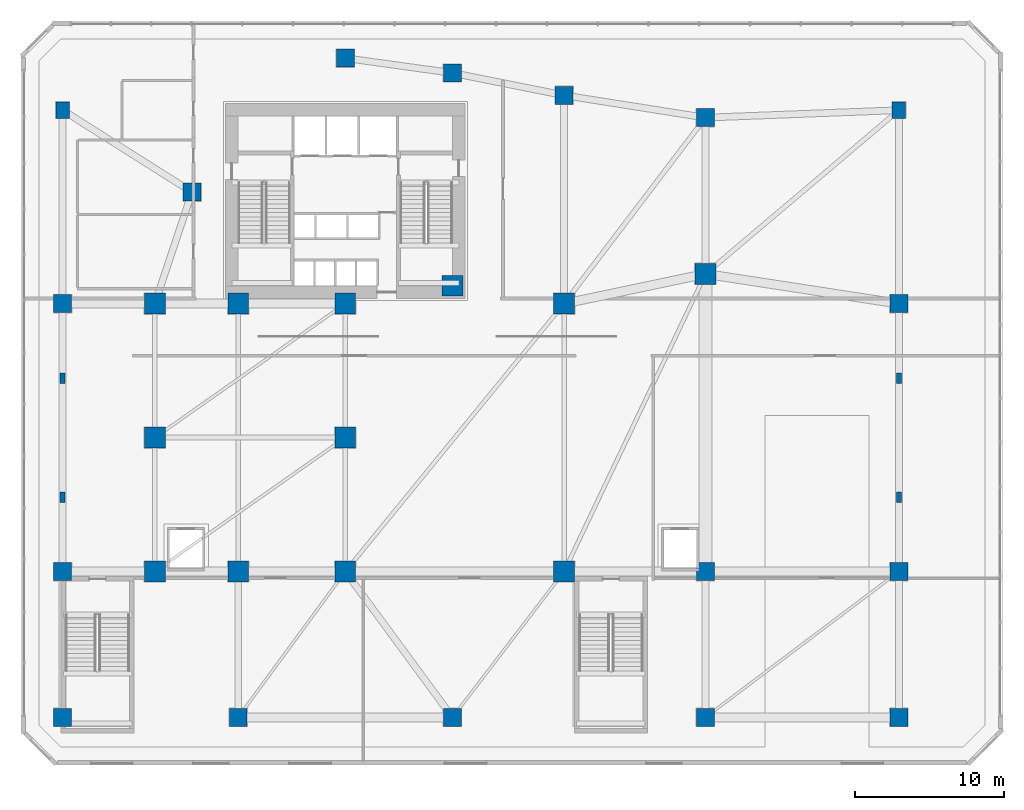
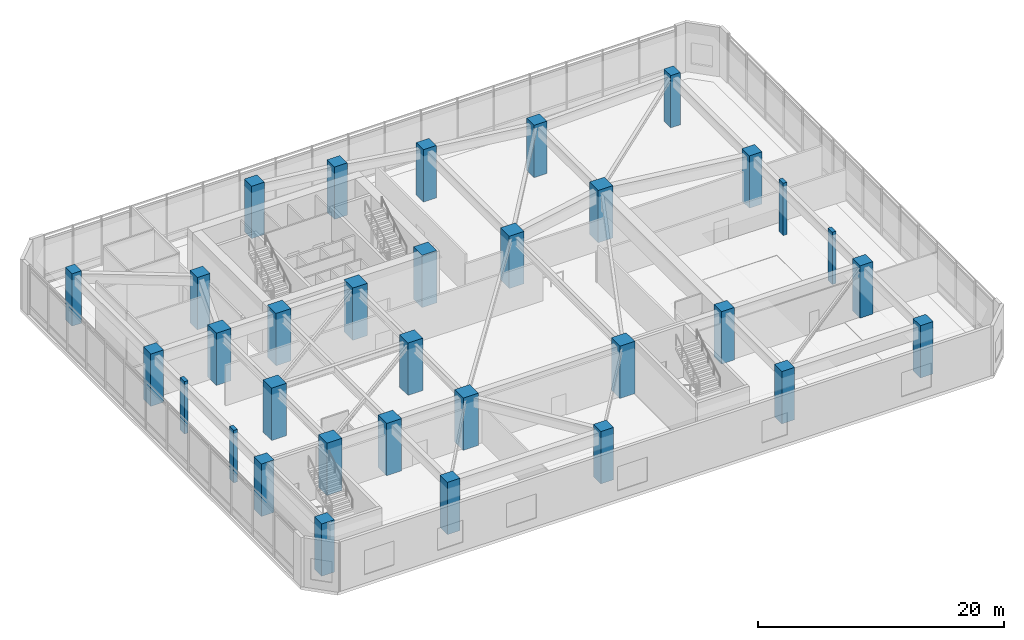
# One storey, part 1 of 16: 33 columns.
"""IFC4 building model written with IfcOpenShell, lengths in metres."""

from ifc_helpers import new_model, si_unit, direction, frame, origin, origin_2d, place, context, subcontext, project, spatial, rectangle, extrude, source, transform, mapped, material, material_profile, profile_set, type_object, element, save


model = new_model("IFC4")

# Units and contexts
model_context = context("Model", 3, precision=1e-05, world=origin(), true_north=direction((0.0, 1.0)))
body_context = subcontext(model_context, "Body", "Model", "MODEL_VIEW")
ifc_project = project(units=[si_unit("LENGTHUNIT", "METRE"), si_unit("AREAUNIT", "SQUARE_METRE"), si_unit("VOLUMEUNIT", "CUBIC_METRE"), si_unit("PLANEANGLEUNIT", "RADIAN"), si_unit("MASSUNIT", "GRAM", prefix="KILO")], contexts=[model_context])

# Site, building, storey
site_placement = place(None, origin())
site = spatial("IfcSite", under=ifc_project, at=site_placement, CompositionType="ELEMENT")
building_placement = place(site_placement, origin())
building = spatial("IfcBuilding", under=site, at=building_placement, Name="Calvemar Wedge Station Tower", CompositionType="ELEMENT")
storey_placement = place(building_placement, frame((0.0, 0.0, 6.0)))
storey = spatial("IfcBuildingStorey", under=building, at=storey_placement, Name="L02", CompositionType="ELEMENT", Elevation=6.0)

# Columns
ifc_material_1 = material(Name="Concrete C70", Category="concrete")
ifc_material_profile_1 = material_profile(ifc_material_1, rectangle(XDim=1.199951171875, YDim=1.199951171875, at=origin_2d()), Name="RC1200x1200")
ifc_profile_set_1 = profile_set([ifc_material_profile_1], Name="Concrete C70")
column_type_1 = type_object("IfcColumnType", Name="COL-C2-1200", PredefinedType="COLUMN", material=ifc_profile_set_1)
shared_shape_1 = source(origin(), body_context, "Body", "SweptSolid", [
    extrude(rectangle(XDim=1.199951171875, YDim=1.199951171875, at=origin_2d()), origin(), (0.0, 0.0, 1.0), 5.199951171875),
])
for number, where, z_axis, x_axis, name in (
    (1, (4.800048828125, 5.199951171875, 0.0), (0.0, 0.0, 1.0), (1.0, 0.0, 0.0), "Storey L02 Column P-S1"),
    (2, (16.60009765625, 5.199951171875, 0.0), (0.0, 0.0, 1.0), (1.0, 0.0, 0.0), "Storey L02 Column P-S2"),
    (3, (31.0, 5.199951171875, 0.0), (0.0, 0.0, 1.0), (1.0, 0.0, 0.0), "Storey L02 Column P-S3"),
    (4, (48.0, 5.199951171875, 0.0), (0.0, 0.0, 1.0), (1.0, 0.0, 0.0), "Storey L02 Column P-S4"),
    (5, (61.0, 5.199951171875, 0.0), (0.0, 0.0, 1.0), (1.0, 0.0, 0.0), "Storey L02 Column P-S5"),
    (6, (4.800048828125, 15.0, 0.0), (0.0, 0.0, 1.0), (1.0, 0.0, 0.0), "Storey L02 Column P-CS0"),
    (7, (48.0, 15.0, 0.0), (0.0, 0.0, 1.0), (1.0, 0.0, 0.0), "Storey L02 Column P-CS5"),
    (8, (61.0, 15.0, 0.0), (0.0, 0.0, 1.0), (1.0, 0.0, 0.0), "Storey L02 Column P-CS6"),
    (9, (4.800048828125, 33.0, 0.0), (0.0, 0.0, 1.0), (1.0, 0.0, 0.0), "Storey L02 Column P-CN0"),
    (10, (61.0, 33.0, 0.0), (0.0, 0.0, 1.0), (1.0, 0.0, 0.0), "Storey L02 Column P-CN7"),
    (11, (13.5, 40.5, 0.0), (0.0, 0.0, 1.0), (1.0, 0.0, 0.0), "Storey L02 Column P-N1"),
    (12, (23.800048828125, 49.5, 0.0), (0.0, 0.0, 1.0), (1.0, 0.0, 0.0), "Storey L02 Column P-N2"),
    (13, (31.0, 48.5, 0.0), (0.0, 0.0, 1.0), (1.0, 0.0, 0.0), "Storey L02 Column P-N3"),
    (14, (38.5, 47.0, 0.0), (0.0, 0.0, 1.0), (1.0, 0.0, 0.0), "Storey L02 Column P-N4"),
    (15, (48.0, 45.5, 0.0), (0.0, 0.0, 1.0), (1.0, 0.0, 0.0), "Storey L02 Column P-N5"),
):
    element("IfcColumn", number, at=place(storey_placement, frame(where, z_axis=z_axis, x_axis=x_axis)), inside=storey, type_object=column_type_1, Name=name, PredefinedType="COLUMN", context=body_context, shape_type="MappedRepresentation", body=[
        mapped(shared_shape_1, transform((0.0, 0.0, 0.0), scale=1.0)),
    ])
ifc_material_2 = material(Name="Concrete C80", Category="concrete")
ifc_material_profile_2 = material_profile(ifc_material_2, rectangle(XDim=1.39990234375, YDim=1.39990234375, at=origin_2d()), Name="RC1400x1400")
ifc_profile_set_2 = profile_set([ifc_material_profile_2], Name="Concrete C80")
column_type_2 = type_object("IfcColumnType", Name="COL-C1-1400", PredefinedType="COLUMN", material=ifc_profile_set_2)
shared_shape_2 = source(origin(), body_context, "Body", "SweptSolid", [
    extrude(rectangle(XDim=1.39990234375, YDim=1.39990234375, at=origin_2d()), origin(), (0.0, 0.0, 1.0), 5.199951171875),
])
for number, where, z_axis, x_axis, name in (
    (16, (11.0, 15.0, 0.0), (0.0, 0.0, 1.0), (1.0, 0.0, 0.0), "Storey L02 Column P-CS1"),
    (17, (16.60009765625, 15.0, 0.0), (0.0, 0.0, 1.0), (1.0, 0.0, 0.0), "Storey L02 Column P-CS2"),
    (18, (23.800048828125, 15.0, 0.0), (0.0, 0.0, 1.0), (1.0, 0.0, 0.0), "Storey L02 Column P-CS3"),
    (19, (38.5, 15.0, 0.0), (0.0, 0.0, 1.0), (1.0, 0.0, 0.0), "Storey L02 Column P-CS4"),
    (20, (11.0, 24.0, 0.0), (0.0, 0.0, 1.0), (1.0, 0.0, 0.0), "Storey L02 Column P-CM1"),
    (21, (23.800048828125, 24.0, 0.0), (0.0, 0.0, 1.0), (1.0, 0.0, 0.0), "Storey L02 Column P-CM2"),
    (22, (11.0, 33.0, 0.0), (0.0, 0.0, 1.0), (1.0, 0.0, 0.0), "Storey L02 Column P-CN1"),
    (23, (16.60009765625, 33.0, 0.0), (0.0, 0.0, 1.0), (1.0, 0.0, 0.0), "Storey L02 Column P-CN2"),
    (24, (23.800048828125, 33.0, 0.0), (0.0, 0.0, 1.0), (1.0, 0.0, 0.0), "Storey L02 Column P-CN3"),
    (25, (31.0, 34.199951171875, 0.0), (0.0, 0.0, 1.0), (1.0, 0.0, 0.0), "Storey L02 Column P-CN4"),
    (26, (38.5, 33.0, 0.0), (0.0, 0.0, 1.0), (1.0, 0.0, 0.0), "Storey L02 Column P-CN5"),
    (27, (48.0, 35.0, 0.0), (0.0, 0.0, 1.0), (1.0, 0.0, 0.0), "Storey L02 Column P-CN6"),
):
    element("IfcColumn", number, at=place(storey_placement, frame(where, z_axis=z_axis, x_axis=x_axis)), inside=storey, type_object=column_type_2, Name=name, PredefinedType="COLUMN", context=body_context, shape_type="MappedRepresentation", body=[
        mapped(shared_shape_2, transform((0.0, 0.0, 0.0), scale=1.0)),
    ])
ifc_material_profile_3 = material_profile(ifc_material_1, rectangle(XDim=0.89990234375, YDim=1.10009765625, at=origin_2d()), Name="RC1100x900")
ifc_profile_set_3 = profile_set([ifc_material_profile_3], Name="Concrete C70")
column_type_3 = type_object("IfcColumnType", Name="COL-C3-1100x900", PredefinedType="COLUMN", material=ifc_profile_set_3)
shared_shape_3 = source(origin(), body_context, "Body", "SweptSolid", [
    extrude(rectangle(XDim=0.89990234375, YDim=1.10009765625, at=origin_2d()), origin(), (0.0, 0.0, 1.0), 5.199951171875),
])
for number, where, z_axis, x_axis, name in (
    (28, (4.800048828125, 46.0, 0.0), (0.0, 0.0, 1.0), (1.0, 0.0, 0.0), "Storey L02 Column P-N0"),
    (29, (61.0, 46.0, 0.0), (0.0, 0.0, 1.0), (1.0, 0.0, 0.0), "Storey L02 Column P-N6"),
):
    element("IfcColumn", number, at=place(storey_placement, frame(where, z_axis=z_axis, x_axis=x_axis)), inside=storey, type_object=column_type_3, Name=name, PredefinedType="COLUMN", context=body_context, shape_type="MappedRepresentation", body=[
        mapped(shared_shape_3, transform((0.0, 0.0, 0.0), scale=1.0)),
    ])
ifc_material_3 = material(Name="Concrete C60", Category="concrete")
ifc_material_profile_4 = material_profile(ifc_material_3, rectangle(XDim=0.35009765625, YDim=0.699951171875, at=origin_2d()), Name="RC350x700")
ifc_profile_set_4 = profile_set([ifc_material_profile_4], Name="Concrete C60")
column_type_4 = type_object("IfcColumnType", Name="PIL-P1-700", PredefinedType="PILASTER", material=ifc_profile_set_4)
shared_shape_4 = source(origin(), body_context, "Body", "SweptSolid", [
    extrude(rectangle(XDim=0.35009765625, YDim=0.699951171875, at=origin_2d()), origin(), (0.0, 0.0, 1.0), 5.199951171875),
])
for number, where, z_axis, x_axis, name in (
    (30, (4.800048828125, 20.0, 0.0), (0.0, 0.0, 1.0), (1.0, 0.0, 0.0), "Storey L02 Concourse Pilaster 1"),
    (31, (4.800048828125, 28.0, 0.0), (0.0, 0.0, 1.0), (1.0, 0.0, 0.0), "Storey L02 Concourse Pilaster 2"),
    (32, (61.0, 20.0, 0.0), (0.0, 0.0, 1.0), (1.0, 0.0, 0.0), "Storey L02 Concourse Pilaster 3"),
    (33, (61.0, 28.0, 0.0), (0.0, 0.0, 1.0), (1.0, 0.0, 0.0), "Storey L02 Concourse Pilaster 4"),
):
    element("IfcColumn", number, at=place(storey_placement, frame(where, z_axis=z_axis, x_axis=x_axis)), inside=storey, type_object=column_type_4, Name=name, PredefinedType="PILASTER", context=body_context, shape_type="MappedRepresentation", body=[
        mapped(shared_shape_4, transform((0.0, 0.0, 0.0), scale=1.0)),
    ])

save(model, "model.ifc")
